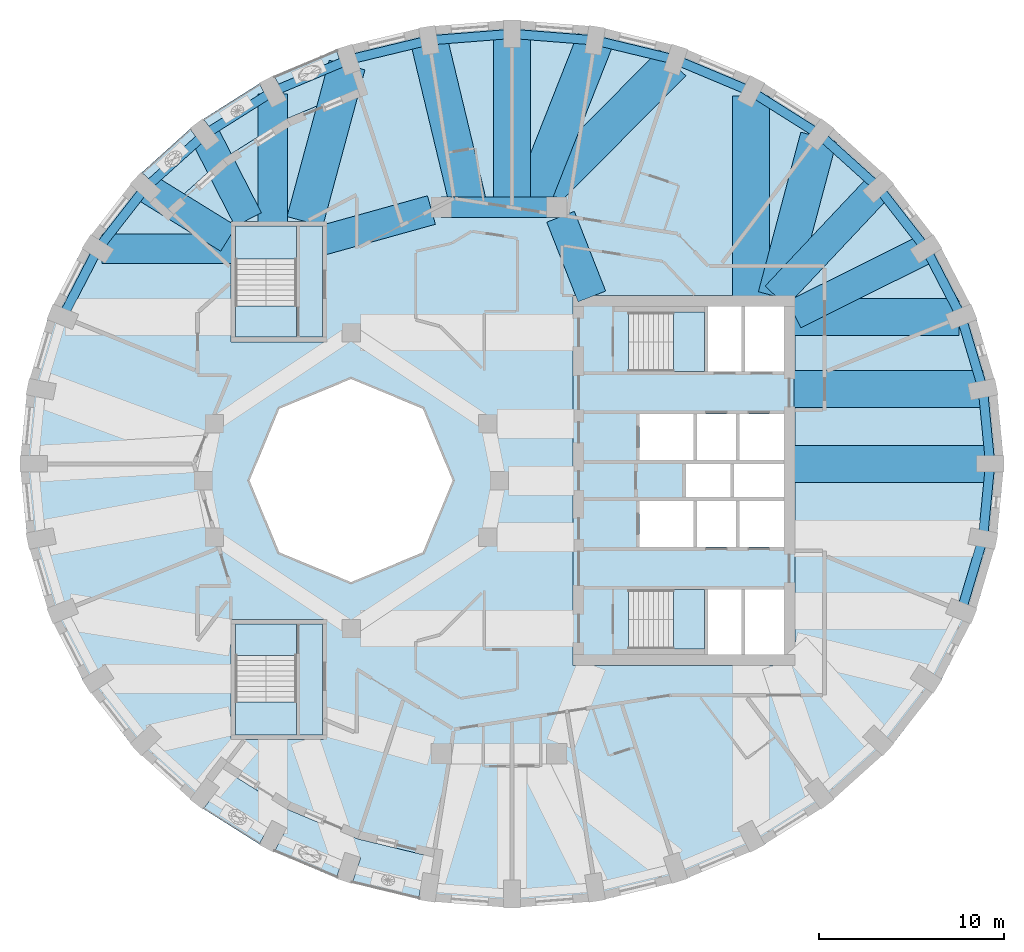
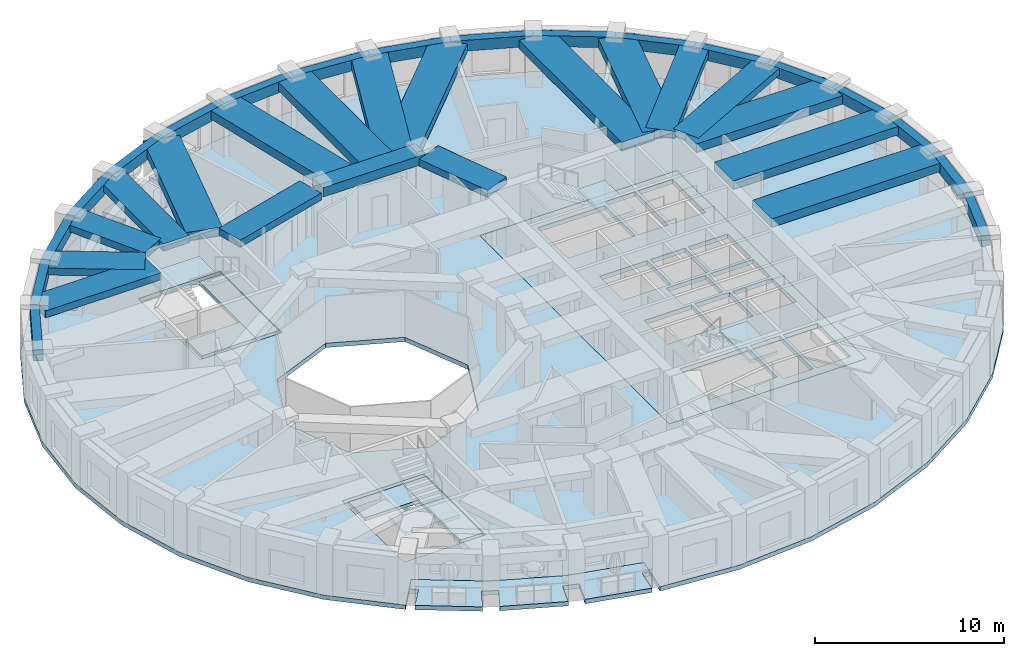
# One storey, part 2 of 12: 37 beams, 12 slabs, 4 elements without a shape of their own.
"""IFC4 building model written with IfcOpenShell, lengths in metres."""

from ifc_helpers import new_model, si_unit, direction, frame, origin, origin_2d, place, context, subcontext, project, spatial, polyline, rectangle, outline, extrude, material, layer, layer_set, material_profile, profile_set, type_object, element, aggregate, save


model = new_model("IFC4")

# Units and contexts
model_context = context("Model", 3, precision=1e-05, world=origin(), true_north=direction((0.0, 1.0)))
body_context = subcontext(model_context, "Body", "Model", "MODEL_VIEW")
ifc_project = project(units=[si_unit("LENGTHUNIT", "METRE"), si_unit("AREAUNIT", "SQUARE_METRE"), si_unit("VOLUMEUNIT", "CUBIC_METRE"), si_unit("PLANEANGLEUNIT", "RADIAN"), si_unit("MASSUNIT", "GRAM", prefix="KILO")], contexts=[model_context])

# Site, building, storey
site_placement = place(None, origin())
site = spatial("IfcSite", under=ifc_project, at=site_placement, CompositionType="ELEMENT")
building_placement = place(site_placement, origin())
building = spatial("IfcBuilding", under=site, at=building_placement, Name="Taillehof Tower", CompositionType="ELEMENT")
storey_placement = place(building_placement, frame((0.0, 0.0, 215.60009765625)))
storey = spatial("IfcBuildingStorey", under=building, at=storey_placement, Name="L61", CompositionType="ELEMENT", Elevation=215.60009765625)

# Beams
ifc_material_1 = material(Name="Concrete C50/60", Category="concrete")
ifc_material_profile_1 = material_profile(ifc_material_1, rectangle(XDim=1.10009765625, YDim=0.60009765625, at=origin_2d()), Name="RC 1100x600")
ifc_profile_set_1 = profile_set([ifc_material_profile_1], Name="Concrete C50/60")
beam_type_1 = type_object("IfcBeamType", Name="Mid-ring beam C50/60 1100x600", PredefinedType="BEAM", material=ifc_profile_set_1)
beam_1_placement = place(storey_placement, frame((3.125732421875, 14.772216796875, 2.719970703125), z_axis=(-1.0, 0.0, 0.0), x_axis=(0.0, -1.0, 0.0)))
element("IfcBeam", 1, at=beam_1_placement, inside=storey, type_object=beam_type_1, Name="Mid-ring beam MB01", PredefinedType="BEAM", context=body_context, shape_type="SweptSolid", body=[
    extrude(rectangle(XDim=1.10009765625, YDim=0.60009765625, at=origin_2d()), origin(), (0.0, 0.0, 1.0), 6.25146484375),
])
ifc_material_2 = material(Name="Concrete C50/60", Category="concrete")
ifc_material_profile_2 = material_profile(ifc_material_2, rectangle(XDim=1.60009765625, YDim=0.449951171875, at=origin_2d()), Name="RC 1600x450")
ifc_profile_set_2 = profile_set([ifc_material_profile_2], Name="Concrete C50/60")
beam_type_2 = type_object("IfcBeamType", Name="Radial band beam C50/60 1600x450", PredefinedType="BEAM", material=ifc_profile_set_2)
beam_2_placement = place(storey_placement, frame((23.086669921875, 12.52490234375, 2.794921875), z_axis=(-0.895357082848, -0.445348957778, 0.0), x_axis=(0.445348957778, -0.895357082848, 0.0)))
element("IfcBeam", 2, at=beam_2_placement, inside=storey, type_object=beam_type_2, Name="Radial band beam RB04", PredefinedType="BEAM", context=body_context, shape_type="SweptSolid", body=[
    extrude(rectangle(XDim=1.60009765625, YDim=0.449951171875, at=origin_2d()), origin(), (0.0, 0.0, 1.0), 7.96484375),
])
beam_3_placement = place(storey_placement, frame((20.502197265625, 15.8447265625, 2.794921875), z_axis=(-0.685451470964, -0.728118315217, 0.0), x_axis=(0.728118315217, -0.685451470964, 0.0)))
element("IfcBeam", 3, at=beam_3_placement, inside=storey, type_object=beam_type_2, Name="Radial band beam RB05", PredefinedType="BEAM", context=body_context, shape_type="SweptSolid", body=[
    extrude(rectangle(XDim=1.60009765625, YDim=0.449951171875, at=origin_2d()), origin(), (0.0, 0.0, 1.0), 8.07373046875),
])
beam_4_placement = place(storey_placement, frame((-12.22509765625, 20.9013671875, 2.794921875), z_axis=(0.0, -1.0, 0.0), x_axis=(1.0, 0.0, 0.0)))
element("IfcBeam", 4, at=beam_4_placement, inside=storey, type_object=beam_type_2, Name="Radial band beam RB13", PredefinedType="BEAM", context=body_context, shape_type="SweptSolid", body=[
    extrude(rectangle(XDim=1.60009765625, YDim=0.449951171875, at=origin_2d()), origin(), (0.0, 0.0, 1.0), 6.951416015625),
])
beam_5_placement = place(storey_placement, frame((-15.916015625, 18.71044921875, 2.794921875), z_axis=(0.456360793517, -0.889794822496, 0.0), x_axis=(0.889794822496, 0.456360793517, 0.0)))
element("IfcBeam", 5, at=beam_5_placement, inside=storey, type_object=beam_type_2, Name="Radial band beam RB14", PredefinedType="BEAM", context=body_context, shape_type="SweptSolid", body=[
    extrude(rectangle(XDim=1.60009765625, YDim=0.449951171875, at=origin_2d()), origin(), (0.0, 0.0, 1.0), 5.16455078125),
])
beam_6_placement = place(storey_placement, frame((-19.102294921875, 15.8447265625, 2.794921875), z_axis=(0.850616081395, -0.525787297366, 0.0), x_axis=(0.525787297366, 0.850616081395, 0.0)))
element("IfcBeam", 6, at=beam_6_placement, inside=storey, type_object=beam_type_2, Name="Radial band beam RB15", PredefinedType="BEAM", context=body_context, shape_type="SweptSolid", body=[
    extrude(rectangle(XDim=1.60009765625, YDim=0.449951171875, at=origin_2d()), origin(), (0.0, 0.0, 1.0), 5.260498046875),
])
beam_7_placement = place(storey_placement, frame((-21.47021484375, 12.52490234375, 2.794921875), z_axis=(1.0, 0.0, 0.0), x_axis=(0.0, 1.0, 0.0)))
element("IfcBeam", 7, at=beam_7_placement, inside=storey, type_object=beam_type_2, Name="Radial band beam RB16", PredefinedType="BEAM", context=body_context, shape_type="SweptSolid", body=[
    extrude(rectangle(XDim=1.60009765625, YDim=0.449951171875, at=origin_2d()), origin(), (0.0, 0.0, 1.0), 7.020263671875),
])
beam_8_placement = place(storey_placement, frame((3.32666015625, 14.26025390625, 2.794921875), z_axis=(0.365588707223, -0.930776502255, 0.0), x_axis=(0.930776502255, 0.365588707223, 0.0)))
element("IfcBeam", 8, at=beam_8_placement, inside=storey, type_object=beam_type_2, Name="Inner band beam IB205", PredefinedType="BEAM", context=body_context, shape_type="SweptSolid", body=[
    extrude(rectangle(XDim=1.60009765625, YDim=0.449951171875, at=origin_2d()), origin(), (0.0, 0.0, 1.0), 4.627197265625),
])
beam_9_placement = place(storey_placement, frame((-3.655517578125, 14.624755859375, 2.794921875), z_axis=(-0.963459369536, -0.267854518821, 0.0), x_axis=(0.267854518821, -0.963459369536, 0.0)))
element("IfcBeam", 9, at=beam_9_placement, inside=storey, type_object=beam_type_2, Name="Inner band beam IB206", PredefinedType="BEAM", context=body_context, shape_type="SweptSolid", body=[
    extrude(rectangle(XDim=1.60009765625, YDim=0.449951171875, at=origin_2d()), origin(), (0.0, 0.0, 1.0), 6.096923828125),
])
ifc_material_3 = material(Name="Concrete C50/60", Category="concrete")
ifc_material_profile_3 = material_profile(ifc_material_3, rectangle(XDim=2.0, YDim=0.550048828125, at=origin_2d()), Name="RC 2000x550")
ifc_profile_set_3 = profile_set([ifc_material_profile_3], Name="Concrete C50/60")
beam_type_3 = type_object("IfcBeamType", Name="Radial band beam C50/60 2000x550", PredefinedType="BEAM", material=ifc_profile_set_3)
beam_10_placement = place(storey_placement, frame((26.550048828125, 0.89990234375, 2.744873046875), z_axis=(-1.0, 0.0, 0.0), x_axis=(0.0, -1.0, 0.0)))
element("IfcBeam", 10, at=beam_10_placement, inside=storey, type_object=beam_type_3, Name="Radial band beam RB01", PredefinedType="BEAM", context=body_context, shape_type="SweptSolid", body=[
    extrude(rectangle(XDim=2.0, YDim=0.550048828125, at=origin_2d()), origin(), (0.0, 0.0, 1.0), 10.60009765625),
])
beam_11_placement = place(storey_placement, frame((26.1572265625, 4.937255859375, 2.744873046875), z_axis=(-1.0, 0.0, 0.0), x_axis=(0.0, -1.0, 0.0)))
element("IfcBeam", 11, at=beam_11_placement, inside=storey, type_object=beam_type_3, Name="Radial band beam RB02", PredefinedType="BEAM", context=body_context, shape_type="SweptSolid", body=[
    extrude(rectangle(XDim=2.0, YDim=0.550048828125, at=origin_2d()), origin(), (0.0, 0.0, 1.0), 10.207275390625),
])
beam_12_placement = place(storey_placement, frame((24.856201171875, 8.85205078125, 2.744873046875), z_axis=(-1.0, 0.0, 0.0), x_axis=(0.0, -1.0, 0.0)))
element("IfcBeam", 12, at=beam_12_placement, inside=storey, type_object=beam_type_3, Name="Radial band beam RB03", PredefinedType="BEAM", context=body_context, shape_type="SweptSolid", body=[
    extrude(rectangle(XDim=2.0, YDim=0.550048828125, at=origin_2d()), origin(), (0.0, 0.0, 1.0), 8.90625),
])
beam_13_placement = place(storey_placement, frame((17.28076171875, 18.577880859375, 2.744873046875), z_axis=(-0.256969711091, -0.966419457369, 0.0), x_axis=(0.966419457369, -0.256969711091, 0.0)))
element("IfcBeam", 13, at=beam_13_placement, inside=storey, type_object=beam_type_3, Name="Radial band beam RB06", PredefinedType="BEAM", context=body_context, shape_type="SweptSolid", body=[
    extrude(rectangle(XDim=2.0, YDim=0.550048828125, at=origin_2d()), origin(), (0.0, 0.0, 1.0), 8.926025390625),
])
beam_14_placement = place(storey_placement, frame((13.625, 20.797607421875, 2.744873046875), z_axis=(0.0, -1.0, 0.0), x_axis=(1.0, 0.0, 0.0)))
element("IfcBeam", 14, at=beam_14_placement, inside=storey, type_object=beam_type_3, Name="Radial band beam RB07", PredefinedType="BEAM", context=body_context, shape_type="SweptSolid", body=[
    extrude(rectangle(XDim=2.0, YDim=0.550048828125, at=origin_2d()), origin(), (0.0, 0.0, 1.0), 10.84765625),
])
beam_15_placement = place(storey_placement, frame((9.384765625, 22.590087890625, 2.744873046875), z_axis=(-0.704433609475, -0.709769885133, 0.0), x_axis=(0.709769885133, -0.704433609475, 0.0)))
element("IfcBeam", 15, at=beam_15_placement, inside=storey, type_object=beam_type_3, Name="Radial band beam RB08", PredefinedType="BEAM", context=body_context, shape_type="SweptSolid", body=[
    extrude(rectangle(XDim=2.0, YDim=0.550048828125, at=origin_2d()), origin(), (0.0, 0.0, 1.0), 10.79736328125),
])
beam_16_placement = place(storey_placement, frame((5.188720703125, 23.796875, 2.744873046875), z_axis=(-0.367222105753, -0.930133283485, 0.0), x_axis=(0.930133283485, -0.367222105753, 0.0)))
element("IfcBeam", 16, at=beam_16_placement, inside=storey, type_object=beam_type_3, Name="Radial band beam RB09", PredefinedType="BEAM", context=body_context, shape_type="SweptSolid", body=[
    extrude(rectangle(XDim=2.0, YDim=0.550048828125, at=origin_2d()), origin(), (0.0, 0.0, 1.0), 9.70263671875),
])
beam_17_placement = place(storey_placement, frame((0.699951171875, 24.14990234375, 2.744873046875), z_axis=(0.0, -1.0, 0.0), x_axis=(1.0, 0.0, 0.0)))
element("IfcBeam", 17, at=beam_17_placement, inside=storey, type_object=beam_type_3, Name="Radial band beam RB10", PredefinedType="BEAM", context=body_context, shape_type="SweptSolid", body=[
    extrude(rectangle(XDim=2.0, YDim=0.550048828125, at=origin_2d()), origin(), (0.0, 0.0, 1.0), 9.377685546875),
])
beam_18_placement = place(storey_placement, frame((-3.788818359375, 23.796875, 2.744873046875), z_axis=(0.233084395558, -0.972456510363, 0.0), x_axis=(0.972456510363, 0.233084395558, 0.0)))
element("IfcBeam", 18, at=beam_18_placement, inside=storey, type_object=beam_type_3, Name="Radial band beam RB11", PredefinedType="BEAM", context=body_context, shape_type="SweptSolid", body=[
    extrude(rectangle(XDim=2.0, YDim=0.550048828125, at=origin_2d()), origin(), (0.0, 0.0, 1.0), 9.2802734375),
])
beam_19_placement = place(storey_placement, frame((-8.2177734375, 22.464111328125, 2.744873046875), z_axis=(-0.260346436551, -0.965515268121, 0.0), x_axis=(0.965515268121, -0.260346436551, 0.0)))
element("IfcBeam", 19, at=beam_19_placement, inside=storey, type_object=beam_type_3, Name="Radial band beam RB12", PredefinedType="BEAM", context=body_context, shape_type="SweptSolid", body=[
    extrude(rectangle(XDim=2.0, YDim=0.550048828125, at=origin_2d()), origin(), (0.0, 0.0, 1.0), 8.755859375),
])
ifc_material_4 = material(Name="Concrete C50/60", Category="concrete")
ifc_material_profile_4 = material_profile(ifc_material_4, rectangle(XDim=0.5, YDim=0.699951171875, at=origin_2d()), Name="RC 500x700")
ifc_profile_set_4 = profile_set([ifc_material_profile_4], Name="Concrete C50/60")
beam_type_4 = type_object("IfcBeamType", Name="Spandrel beam C50/60 500x700", PredefinedType="SPANDREL", material=ifc_profile_set_4)
beam_20_placement = place(storey_placement, frame((26.550048828125, 0.89990234375, 2.669921875), z_axis=(-0.096839674059, 0.995299993735, 0.0), x_axis=(-0.995299993735, -0.096839674059, 0.0)))
element("IfcBeam", 20, at=beam_20_placement, inside=storey, type_object=beam_type_4, Name="Spandrel beam SB01", PredefinedType="SPANDREL", context=body_context, shape_type="SweptSolid", body=[
    extrude(rectangle(XDim=0.5, YDim=0.699951171875, at=origin_2d()), origin(), (0.0, 0.0, 1.0), 4.056396484375),
])
beam_21_placement = place(storey_placement, frame((26.1572265625, 4.937255859375, 2.669921875), z_axis=(-0.285510458946, 0.9583755933, 0.0), x_axis=(-0.9583755933, -0.285510458946, 0.0)))
element("IfcBeam", 21, at=beam_21_placement, inside=storey, type_object=beam_type_4, Name="Spandrel beam SB02", PredefinedType="SPANDREL", context=body_context, shape_type="SweptSolid", body=[
    extrude(rectangle(XDim=0.5, YDim=0.699951171875, at=origin_2d()), origin(), (0.0, 0.0, 1.0), 4.084716796875),
])
beam_22_placement = place(storey_placement, frame((24.990966796875, 8.85205078125, 2.669921875), z_axis=(-0.460289604274, 0.887768821371, 0.0), x_axis=(-0.887768821371, -0.460289604274, 0.0)))
element("IfcBeam", 22, at=beam_22_placement, inside=storey, type_object=beam_type_4, Name="Spandrel beam SB03", PredefinedType="SPANDREL", context=body_context, shape_type="SweptSolid", body=[
    extrude(rectangle(XDim=0.5, YDim=0.699951171875, at=origin_2d()), origin(), (0.0, 0.0, 1.0), 4.13720703125),
])
beam_23_placement = place(storey_placement, frame((23.086669921875, 12.52490234375, 2.669921875), z_axis=(-0.614294081938, 0.789077170432, 0.0), x_axis=(-0.789077170432, -0.614294081938, 0.0)))
element("IfcBeam", 23, at=beam_23_placement, inside=storey, type_object=beam_type_4, Name="Spandrel beam SB04", PredefinedType="SPANDREL", context=body_context, shape_type="SweptSolid", body=[
    extrude(rectangle(XDim=0.5, YDim=0.699951171875, at=origin_2d()), origin(), (0.0, 0.0, 1.0), 4.207275390625),
])
beam_24_placement = place(storey_placement, frame((20.502197265625, 15.8447265625, 2.669921875), z_axis=(-0.743492416006, 0.668744366213, 0.0), x_axis=(-0.668744366213, -0.743492416006, 0.0)))
element("IfcBeam", 24, at=beam_24_placement, inside=storey, type_object=beam_type_4, Name="Spandrel beam SB05", PredefinedType="SPANDREL", context=body_context, shape_type="SweptSolid", body=[
    extrude(rectangle(XDim=0.5, YDim=0.699951171875, at=origin_2d()), origin(), (0.0, 0.0, 1.0), 4.28515625),
])
beam_25_placement = place(storey_placement, frame((17.316162109375, 18.71044921875, 2.669921875), z_axis=(-0.846166475687, 0.532918657417, 0.0), x_axis=(-0.532918657417, -0.846166475687, 0.0)))
element("IfcBeam", 25, at=beam_25_placement, inside=storey, type_object=beam_type_4, Name="Spandrel beam SB06", PredefinedType="SPANDREL", context=body_context, shape_type="SweptSolid", body=[
    extrude(rectangle(XDim=0.5, YDim=0.699951171875, at=origin_2d()), origin(), (0.0, 0.0, 1.0), 4.3623046875),
])
beam_26_placement = place(storey_placement, frame((13.625, 21.03515625, 2.669921875), z_axis=(-0.92218550199, 0.386747850569, 0.0), x_axis=(-0.386747850569, -0.92218550199, 0.0)))
element("IfcBeam", 26, at=beam_26_placement, inside=storey, type_object=beam_type_4, Name="Spandrel beam SB07", PredefinedType="SPANDREL", context=body_context, shape_type="SweptSolid", body=[
    extrude(rectangle(XDim=0.5, YDim=0.699951171875, at=origin_2d()), origin(), (0.0, 0.0, 1.0), 4.42822265625),
])
beam_27_placement = place(storey_placement, frame((9.541259765625, 22.747802734375, 2.669921875), z_axis=(-0.972160640613, 0.234315361943, 0.0), x_axis=(-0.234315361943, -0.972160640613, 0.0)))
element("IfcBeam", 27, at=beam_27_placement, inside=storey, type_object=beam_type_4, Name="Spandrel beam SB08", PredefinedType="SPANDREL", context=body_context, shape_type="SweptSolid", body=[
    extrude(rectangle(XDim=0.5, YDim=0.699951171875, at=origin_2d()), origin(), (0.0, 0.0, 1.0), 4.477294921875),
])
for number, where, z_axis, x_axis, name in (
    (28, (5.188720703125, 23.796875, 2.669921875), (-0.996921613963, 0.078404691275, 0.0), (-0.078404691275, -0.996921613963, 0.0), "Spandrel beam SB09"),
    (29, (0.699951171875, 24.14990234375, 2.669921875), (-0.996921613963, -0.078404691275, 0.0), (0.078404691275, -0.996921613963, 0.0), "Spandrel beam SB10"),
):
    element("IfcBeam", number, at=place(storey_placement, frame(where, z_axis=z_axis, x_axis=x_axis)), inside=storey, type_object=beam_type_4, Name=name, PredefinedType="SPANDREL", context=body_context, shape_type="SweptSolid", body=[
        extrude(rectangle(XDim=0.5, YDim=0.699951171875, at=origin_2d()), origin(), (0.0, 0.0, 1.0), 4.502685546875),
    ])
beam_28_placement = place(storey_placement, frame((-3.788818359375, 23.796875, 2.669921875), z_axis=(-0.972157646478, -0.234327784087, 0.0), x_axis=(0.234327784087, -0.972157646478, 0.0)))
element("IfcBeam", 30, at=beam_28_placement, inside=storey, type_object=beam_type_4, Name="Spandrel beam SB11", PredefinedType="SPANDREL", context=body_context, shape_type="SweptSolid", body=[
    extrude(rectangle(XDim=0.5, YDim=0.699951171875, at=origin_2d()), origin(), (0.0, 0.0, 1.0), 4.47705078125),
])
beam_29_placement = place(storey_placement, frame((-8.14111328125, 22.747802734375, 2.669921875), z_axis=(-0.922193747603, -0.386728188632, 0.0), x_axis=(0.386728188632, -0.922193747603, 0.0)))
element("IfcBeam", 31, at=beam_29_placement, inside=storey, type_object=beam_type_4, Name="Spandrel beam SB12", PredefinedType="SPANDREL", context=body_context, shape_type="SweptSolid", body=[
    extrude(rectangle(XDim=0.5, YDim=0.699951171875, at=origin_2d()), origin(), (0.0, 0.0, 1.0), 4.428466796875),
])
beam_30_placement = place(storey_placement, frame((-12.22509765625, 21.03515625, 2.669921875), z_axis=(-0.846150579775, -0.532943896059, 0.0), x_axis=(0.532943896059, -0.846150579775, 0.0)))
element("IfcBeam", 32, at=beam_30_placement, inside=storey, type_object=beam_type_4, Name="Spandrel beam SB13", PredefinedType="SPANDREL", context=body_context, shape_type="SweptSolid", body=[
    extrude(rectangle(XDim=0.5, YDim=0.699951171875, at=origin_2d()), origin(), (0.0, 0.0, 1.0), 4.362060546875),
])
beam_31_placement = place(storey_placement, frame((-15.916015625, 18.71044921875, 2.669921875), z_axis=(-0.743517893617, -0.668716039789, 0.0), x_axis=(0.668716039789, -0.743517893617, 0.0)))
element("IfcBeam", 33, at=beam_31_placement, inside=storey, type_object=beam_type_4, Name="Spandrel beam SB14", PredefinedType="SPANDREL", context=body_context, shape_type="SweptSolid", body=[
    extrude(rectangle(XDim=0.5, YDim=0.699951171875, at=origin_2d()), origin(), (0.0, 0.0, 1.0), 4.285400390625),
])
beam_32_placement = place(storey_placement, frame((-19.102294921875, 15.8447265625, 2.669921875), z_axis=(-0.614294081938, -0.789077170432, 0.0), x_axis=(0.789077170432, -0.614294081938, 0.0)))
element("IfcBeam", 34, at=beam_32_placement, inside=storey, type_object=beam_type_4, Name="Spandrel beam SB15", PredefinedType="SPANDREL", context=body_context, shape_type="SweptSolid", body=[
    extrude(rectangle(XDim=0.5, YDim=0.699951171875, at=origin_2d()), origin(), (0.0, 0.0, 1.0), 4.207275390625),
])
beam_33_placement = place(storey_placement, frame((-21.686767578125, 12.52490234375, 2.669921875), z_axis=(-0.460289604274, -0.887768821371, 0.0), x_axis=(0.887768821371, -0.460289604274, 0.0)))
element("IfcBeam", 35, at=beam_33_placement, inside=storey, type_object=beam_type_4, Name="Spandrel beam SB16", PredefinedType="SPANDREL", context=body_context, shape_type="SweptSolid", body=[
    extrude(rectangle(XDim=0.5, YDim=0.699951171875, at=origin_2d()), origin(), (0.0, 0.0, 1.0), 4.13720703125),
])
beam_34_placement = place(storey_placement, frame((24.990966796875, -7.052001953125, 2.669921875), z_axis=(0.285510458946, 0.9583755933, 0.0), x_axis=(-0.9583755933, 0.285510458946, 0.0)))
element("IfcBeam", 36, at=beam_34_placement, inside=storey, type_object=beam_type_4, Name="Spandrel beam SB35", PredefinedType="SPANDREL", context=body_context, shape_type="SweptSolid", body=[
    extrude(rectangle(XDim=0.5, YDim=0.699951171875, at=origin_2d()), origin(), (0.0, 0.0, 1.0), 4.084716796875),
])
beam_35_placement = place(storey_placement, frame((26.1572265625, -3.13720703125, 2.669921875), z_axis=(0.096845475428, 0.995299429262, 0.0), x_axis=(-0.995299429262, 0.096845475428, 0.0)))
element("IfcBeam", 37, at=beam_35_placement, inside=storey, type_object=beam_type_4, Name="Spandrel beam SB36", PredefinedType="SPANDREL", context=body_context, shape_type="SweptSolid", body=[
    extrude(rectangle(XDim=0.5, YDim=0.699951171875, at=origin_2d()), origin(), (0.0, 0.0, 1.0), 4.05615234375),
])

# Slabs
ifc_material_5 = material(Name="Concrete C40/50", Category="concrete")
ifc_layer_1 = layer(ifc_material_5, 0.280029296875)
ifc_layer_set_1 = layer_set([ifc_layer_1], Name="Balcony slab 280")
slab_type_1 = type_object("IfcSlabType", Name="Balcony slab 280", PredefinedType="USERDEFINED", material=ifc_layer_set_1)
slab_1_placement = place(storey_placement, frame((0.0, 0.0, -0.280029296875)))
element("IfcSlab", 38, at=slab_1_placement, inside=storey, type_object=slab_type_1, Name="Balcony L61 pocket 7", ObjectType="BALCONY", PredefinedType="USERDEFINED", context=body_context, shape_type="SweptSolid", body=[
    extrude(outline(polyline([(-3.5419921875, -20.365234375), (-3.683349609375, -21.254150390625), (-4.115478515625, -21.185302734375), (-4.345458984375, -22.63232421875), (-7.935791015625, -21.764404296875), (-7.479736328125, -20.375732421875), (-8.334716796875, -20.094970703125), (-8.791748046875, -21.48681640625), (-12.15380859375, -20.072265625), (-11.4794921875, -18.77783203125), (-12.277587890625, -18.362060546875), (-12.9541015625, -19.660888671875), (-15.984375, -17.746337890625), (-15.1044921875, -16.584228515625), (-15.493408203125, -16.289794921875), (-14.949462890625, -15.571533203125), (-11.4912109375, -17.756103515625), (-7.64892578125, -19.372314453125), (-3.5419921875, -20.365234375)])), origin(), (0.0, 0.0, 1.0), 0.280029296875),
])
slab_2_placement = place(storey_placement, frame((0.0, 0.0, -0.280029296875)))
element("IfcSlab", 39, at=slab_2_placement, inside=storey, type_object=slab_type_1, Name="Balcony L61 pocket 3", ObjectType="BALCONY", PredefinedType="USERDEFINED", context=body_context, shape_type="SweptSolid", body=[
    extrude(outline(polyline([(-17.91943359375, 14.6923828125), (-18.5791015625, 15.30615234375), (-18.24658203125, 15.66357421875), (-19.31298828125, 16.6552734375), (-16.70556640625, 19.0078125), (-15.822021484375, 17.841064453125), (-15.1044921875, 18.38427734375), (-15.984375, 19.54638671875), (-12.9541015625, 21.4609375), (-12.277587890625, 20.162109375), (-11.4794921875, 20.577880859375), (-12.15380859375, 21.872314453125), (-8.791748046875, 23.286865234375), (-8.334716796875, 21.894775390625), (-7.929931640625, 22.02783203125), (-7.64892578125, 21.17236328125), (-11.4912109375, 19.55615234375), (-14.949462890625, 17.37158203125), (-17.91943359375, 14.6923828125)])), origin(), (0.0, 0.0, 1.0), 0.280029296875),
])
ifc_material_6 = material(Name="Concrete C40/50", Category="concrete")
ifc_layer_2 = layer(ifc_material_6, 0.280029296875)
ifc_layer_set_2 = layer_set([ifc_layer_2], Name="Core floor slab C40/50 280")
slab_type_2 = type_object("IfcSlabType", Name="Core floor slab C40/50 280", PredefinedType="FLOOR", material=ifc_layer_set_2)
slab_3_placement = place(storey_placement, frame((0.0, 0.0, -0.280029296875)))
element("IfcSlab", 40, at=slab_3_placement, inside=storey, type_object=slab_type_2, Name="Core floor L61", PredefinedType="FLOOR", context=body_context, shape_type="SweptSolid", body=[
    extrude(outline(polyline([(4.0, -10.0), (4.0, 10.0), (16.0, 10.0), (16.0, -10.0), (4.0, -10.0)]), holes=[polyline([(11.10009765625, -9.10009765625), (11.10009765625, -5.89990234375), (7.00048828125, -5.89990234375), (7.00048828125, -9.10009765625), (11.10009765625, -9.10009765625)]), polyline([(10.5, -3.60009765625), (10.5, -1.10009765625), (7.60009765625, -1.10009765625), (7.60009765625, -3.60009765625), (10.5, -3.60009765625)]), polyline([(12.800048828125, -3.60009765625), (12.800048828125, -1.10009765625), (10.699951171875, -1.10009765625), (10.699951171875, -3.60009765625), (12.800048828125, -3.60009765625)]), polyline([(12.5, -0.89990234375), (12.5, 0.89990234375), (10.10009765625, 0.89990234375), (10.10009765625, -0.89990234375), (12.5, -0.89990234375)]), polyline([(10.5, 1.10009765625), (10.5, 3.60009765625), (7.60009765625, 3.60009765625), (7.60009765625, 1.10009765625), (10.5, 1.10009765625)]), polyline([(12.800048828125, 1.10009765625), (12.800048828125, 3.60009765625), (10.699951171875, 3.60009765625), (10.699951171875, 1.10009765625), (12.800048828125, 1.10009765625)]), polyline([(11.10009765625, 5.89990234375), (11.10009765625, 9.10009765625), (7.00048828125, 9.10009765625), (7.00048828125, 5.89990234375), (11.10009765625, 5.89990234375)]), polyline([(13.10009765625, -5.89990234375), (11.300048828125, -5.89990234375), (11.300048828125, -9.39990234375), (13.10009765625, -9.39990234375), (13.10009765625, -5.89990234375)]), polyline([(15.39990234375, -9.39990234375), (15.39990234375, -5.89990234375), (13.300048828125, -5.89990234375), (13.300048828125, -9.39990234375), (15.39990234375, -9.39990234375)]), polyline([(15.39990234375, -3.60009765625), (15.39990234375, -1.10009765625), (13.0, -1.10009765625), (13.0, -3.60009765625), (15.39990234375, -3.60009765625)]), polyline([(15.39990234375, -0.89990234375), (15.39990234375, 0.89990234375), (12.699951171875, 0.89990234375), (12.699951171875, -0.89990234375), (15.39990234375, -0.89990234375)]), polyline([(15.39990234375, 1.10009765625), (15.39990234375, 3.60009765625), (13.0, 3.60009765625), (13.0, 1.10009765625), (15.39990234375, 1.10009765625)]), polyline([(13.10009765625, 5.89990234375), (13.10009765625, 9.39990234375), (11.300048828125, 9.39990234375), (11.300048828125, 5.89990234375), (13.10009765625, 5.89990234375)]), polyline([(15.39990234375, 5.89990234375), (15.39990234375, 9.39990234375), (13.300048828125, 9.39990234375), (13.300048828125, 5.89990234375), (15.39990234375, 5.89990234375)])]), origin(), (0.0, 0.0, 1.0), 0.280029296875),
])
ifc_material_7 = material(Name="Concrete C40/50", Category="concrete")
ifc_layer_3 = layer(ifc_material_7, 0.280029296875)
ifc_layer_set_3 = layer_set([ifc_layer_3], Name="Floor slab 280")
slab_type_3 = type_object("IfcSlabType", Name="Floor slab 280", PredefinedType="FLOOR", material=ifc_layer_set_3)
slab_4_placement = place(storey_placement, frame((0.0, 0.0, -0.280029296875)))
element("IfcSlab", 41, at=slab_4_placement, inside=storey, type_object=slab_type_3, Name="Floor slab L61", PredefinedType="FLOOR", context=body_context, shape_type="SweptSolid", body=[
    extrude(outline(polyline([(27.300048828125, 0.89990234375), (26.89599609375, 5.067626953125), (25.69580078125, 9.1083984375), (23.736328125, 12.89990234375), (21.076904296875, 16.326904296875), (17.798095703125, 19.28515625), (14.0, 21.6845703125), (9.797607421875, 23.45263671875), (5.319091796875, 24.535400390625), (0.699951171875, 24.89990234375), (-3.9189453125, 24.535400390625), (-8.397705078125, 23.45263671875), (-7.64892578125, 21.17236328125), (-11.4912109375, 19.55615234375), (-14.949462890625, 17.37158203125), (-17.919189453125, 14.6923828125), (-19.6767578125, 16.326904296875), (-22.336181640625, 12.89990234375), (-24.2958984375, 9.1083984375), (-25.495849609375, 5.067626953125), (-25.89990234375, 0.89990234375), (-25.495849609375, -3.267578125), (-24.2958984375, -7.30859375), (-22.336181640625, -11.10009765625), (-19.6767578125, -14.52685546875), (-16.398193359375, -17.485107421875), (-14.949462890625, -15.571533203125), (-11.4912109375, -17.756103515625), (-7.64892578125, -19.372314453125), (-3.5419921875, -20.365234375), (-3.9189453125, -22.7353515625), (0.699951171875, -23.10009765625), (5.319091796875, -22.7353515625), (9.797607421875, -21.652587890625), (14.0, -19.884521484375), (17.798095703125, -17.485107421875), (21.076904296875, -14.52685546875), (23.736328125, -11.10009765625), (25.69580078125, -7.30859375), (26.89599609375, -3.267578125), (27.300048828125, 0.89990234375)]), holes=[polyline([(-14.5, -7.5), (-9.5, -7.5), (-9.5, -14.0), (-14.5, -14.0), (-14.5, -7.5)]), polyline([(-8.0, -5.5), (-11.88916015625, -3.88916015625), (-13.5, 0.0), (-11.88916015625, 3.88916015625), (-8.0, 5.5), (-4.11083984375, 3.88916015625), (-2.5, 0.0), (-4.11083984375, -3.88916015625), (-8.0, -5.5)]), polyline([(16.0, 10.0), (16.0, -10.0), (4.0, -10.0), (4.0, 10.0), (16.0, 10.0)]), polyline([(-14.5, 14.0), (-9.5, 14.0), (-9.5, 7.5), (-14.5, 7.5), (-14.5, 14.0)])]), origin(), (0.0, 0.0, 1.0), 0.280029296875),
])

# Stair, slab
ifc_material_8 = material(Name="Concrete C40/50", Category="concrete")
stair_type = type_object("IfcStairType", Name="Exit stair half-turn", PredefinedType="HALF_TURN_STAIR", material=ifc_material_8)
stair_1_placement = place(storey_placement, origin())
stair_1 = element("IfcStair", 42, at=stair_1_placement, inside=storey, type_object=stair_type, Name="Exit stair S1", PredefinedType="HALF_TURN_STAIR")
ifc_material_9 = material(Name="Concrete C40/50", Category="concrete")
ifc_layer_4 = layer(ifc_material_9, 0.2099609375)
ifc_layer_set_4 = layer_set([ifc_layer_4], Name="Stair landing C40/50 210")
slab_type_4 = type_object("IfcSlabType", Name="Stair landing C40/50 210", PredefinedType="LANDING", material=ifc_layer_set_4)
slab_5_placement = place(storey_placement, frame((0.0, 0.0, 1.43994140625)))
slab_5 = element("IfcSlab", 43, at=slab_5_placement, type_object=slab_type_4, Name="S1 landing 1", PredefinedType="LANDING", context=body_context, shape_type="SweptSolid", body=[
    extrude(outline(polyline([(9.429931640625, 5.89990234375), (11.10009765625, 5.89990234375), (11.10009765625, 9.10009765625), (9.429931640625, 9.10009765625), (9.429931640625, 5.89990234375)])), origin(), (0.0, 0.0, 1.0), 0.2099609375),
])
aggregate(stair_1, [slab_5])

stair_2_placement = place(storey_placement, origin())
stair_2 = element("IfcStair", 44, at=stair_2_placement, inside=storey, type_object=stair_type, Name="Exit stair S2", PredefinedType="HALF_TURN_STAIR")
slab_6_placement = place(storey_placement, frame((0.0, 0.0, 1.43994140625)))
slab_6 = element("IfcSlab", 45, at=slab_6_placement, type_object=slab_type_4, Name="S2 landing 1", PredefinedType="LANDING", context=body_context, shape_type="SweptSolid", body=[
    extrude(outline(polyline([(9.429931640625, -5.89990234375), (11.10009765625, -5.89990234375), (11.10009765625, -9.10009765625), (9.429931640625, -9.10009765625), (9.429931640625, -5.89990234375)])), origin(), (0.0, 0.0, 1.0), 0.2099609375),
])
aggregate(stair_2, [slab_6])

stair_3_placement = place(storey_placement, origin())
stair_3 = element("IfcStair", 46, at=stair_3_placement, inside=storey, type_object=stair_type, Name="Exit stair S3", PredefinedType="HALF_TURN_STAIR")
slab_7_placement = place(storey_placement, frame((0.0, 0.0, 1.43994140625)))
slab_7 = element("IfcSlab", 47, at=slab_7_placement, type_object=slab_type_4, Name="S3 landing 1", PredefinedType="LANDING", context=body_context, shape_type="SweptSolid", body=[
    extrude(outline(polyline([(-14.25, 11.969970703125), (-14.25, 13.75), (-10.949951171875, 13.75), (-10.949951171875, 11.969970703125), (-14.25, 11.969970703125)])), origin(), (0.0, 0.0, 1.0), 0.2099609375),
])
aggregate(stair_3, [slab_7])

stair_4_placement = place(storey_placement, origin())
stair_4 = element("IfcStair", 48, at=stair_4_placement, inside=storey, type_object=stair_type, Name="Exit stair S4", PredefinedType="HALF_TURN_STAIR")
slab_8_placement = place(storey_placement, frame((0.0, 0.0, 1.43994140625)))
slab_8 = element("IfcSlab", 49, at=slab_8_placement, type_object=slab_type_4, Name="S4 landing 1", PredefinedType="LANDING", context=body_context, shape_type="SweptSolid", body=[
    extrude(outline(polyline([(-14.25, -11.969970703125), (-14.25, -13.75), (-10.949951171875, -13.75), (-10.949951171875, -11.969970703125), (-14.25, -11.969970703125)])), origin(), (0.0, 0.0, 1.0), 0.2099609375),
])
aggregate(stair_4, [slab_8])

# Slabs
slab_9_placement = place(storey_placement, frame((0.0, 0.0, -0.210205078125)))
element("IfcSlab", 50, at=slab_9_placement, inside=storey, type_object=slab_type_4, Name="Stair S3 floor landing", PredefinedType="LANDING", context=body_context, shape_type="SweptSolid", body=[
    extrude(outline(polyline([(-14.25, 7.75), (-14.25, 9.449951171875), (-10.949951171875, 9.449951171875), (-10.949951171875, 7.75), (-14.25, 7.75)])), origin(), (0.0, 0.0, 1.0), 0.210205078125),
])
slab_10_placement = place(storey_placement, frame((0.0, 0.0, -0.210205078125)))
element("IfcSlab", 51, at=slab_10_placement, inside=storey, type_object=slab_type_4, Name="Stair lobby S3 floor", PredefinedType="LANDING", context=body_context, shape_type="SweptSolid", body=[
    extrude(outline(polyline([(-10.949951171875, 7.75), (-9.550048828125, 7.75), (-9.550048828125, 13.75), (-10.949951171875, 13.75), (-10.949951171875, 7.75)])), origin(), (0.0, 0.0, 1.0), 0.210205078125),
])
slab_11_placement = place(storey_placement, frame((0.0, 0.0, -0.210205078125)))
element("IfcSlab", 52, at=slab_11_placement, inside=storey, type_object=slab_type_4, Name="Stair S4 floor landing", PredefinedType="LANDING", context=body_context, shape_type="SweptSolid", body=[
    extrude(outline(polyline([(-14.25, -7.75), (-14.25, -9.449951171875), (-10.949951171875, -9.449951171875), (-10.949951171875, -7.75), (-14.25, -7.75)])), origin(), (0.0, 0.0, 1.0), 0.210205078125),
])
slab_12_placement = place(storey_placement, frame((0.0, 0.0, -0.210205078125)))
element("IfcSlab", 53, at=slab_12_placement, inside=storey, type_object=slab_type_4, Name="Stair lobby S4 floor", PredefinedType="LANDING", context=body_context, shape_type="SweptSolid", body=[
    extrude(outline(polyline([(-10.949951171875, -13.75), (-9.550048828125, -13.75), (-9.550048828125, -7.75), (-10.949951171875, -7.75), (-10.949951171875, -13.75)])), origin(), (0.0, 0.0, 1.0), 0.210205078125),
])

save(model, "model.ifc")
